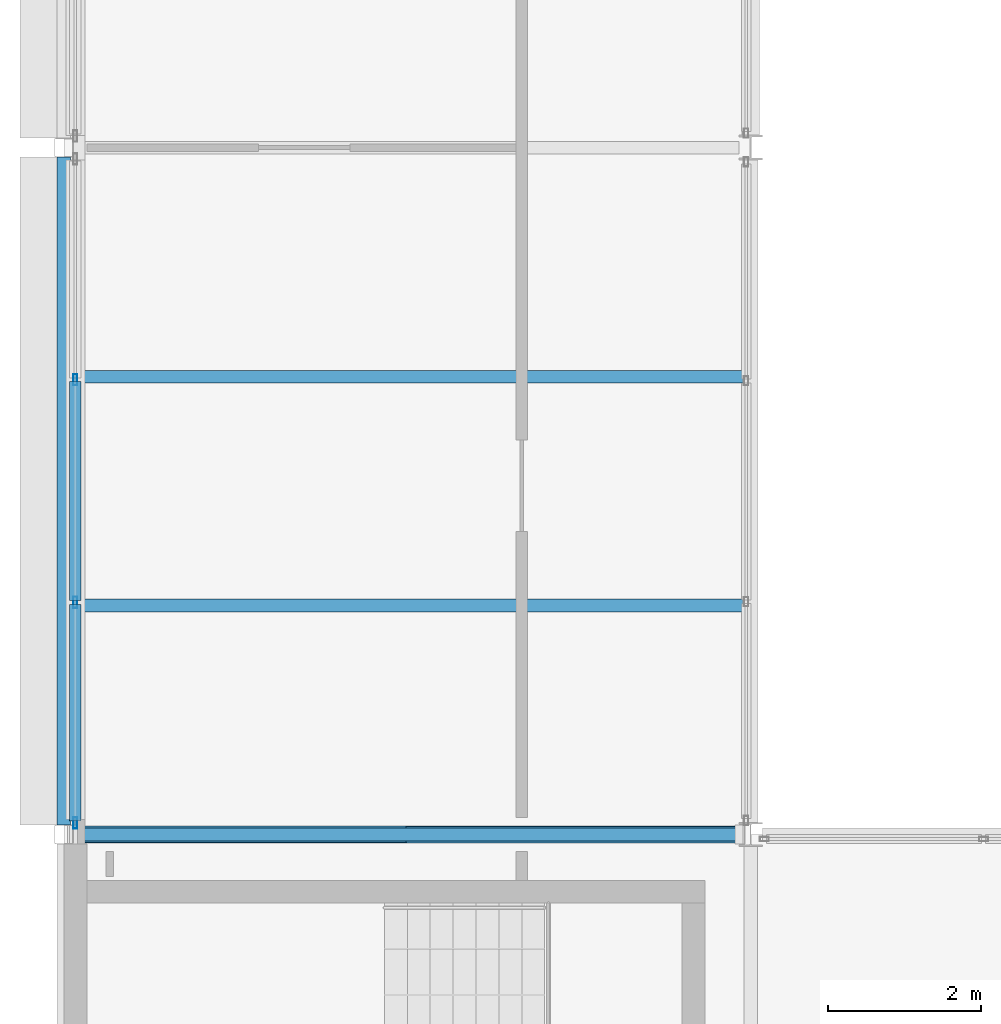
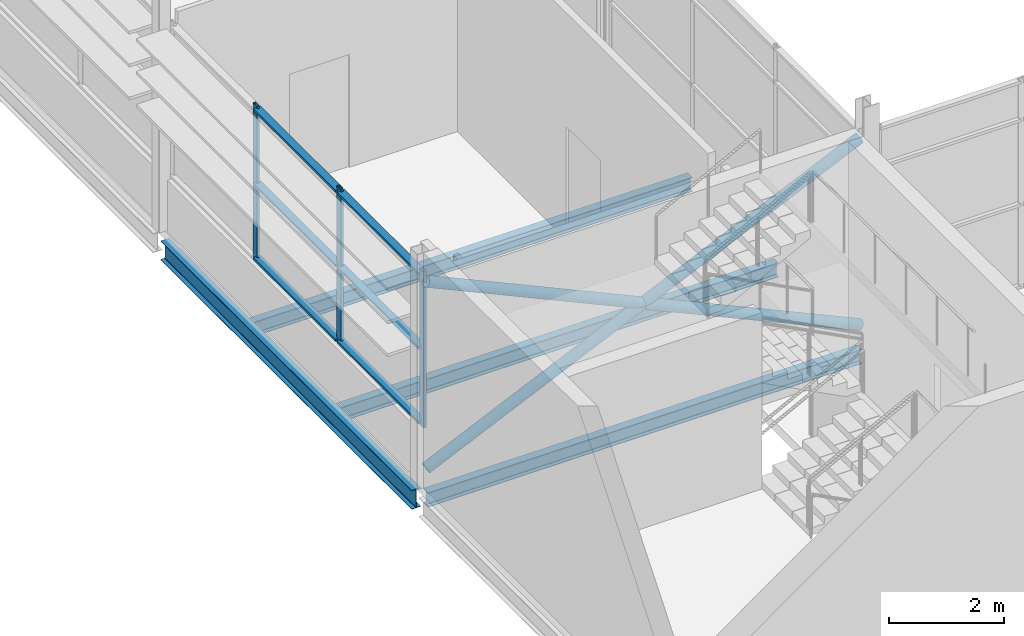
# One storey, part 11 of 94: 11 members, 4 beams, 1 element without a shape of its own.
"""IFC4 building model written with IfcOpenShell, lengths in metres."""

import ifcopenshell
import ifcopenshell.guid

model = None  # the IFC model being written
_history = None  # IfcOwnerHistory: only IFC2X3 demands one
_inside = {}  # id of a spatial element -> (the spatial element, [elements in it])
_under = {}  # id of a project, library or spatial element -> (it, [spatial elements below it])
_declared = {}  # id of a project -> (the project, [libraries it declares])
_typed = {}  # id of a type object -> (the type object, [elements of that type])
_made_of = {}  # id of a material, layer set ... -> (it, [elements and type objects made of it])


def new_model(schema):
    """Start an empty IFC model of exactly this schema.

    Asked for "IFC4X3", IfcOpenShell would pick the latest addendum, in which some entities
    have other attributes; the version numbers below select the first issue.
    IFC2X3 requires an IfcOwnerHistory on every rooted entity: one is made here for all.
    """
    global model, _history
    if schema == "IFC4X3":
        model = ifcopenshell.file(schema_version=(4, 3, 0, 0))
    else:
        model = ifcopenshell.file(schema=schema)
    _inside.clear()
    _under.clear()
    _declared.clear()
    _typed.clear()
    _made_of.clear()
    _history = None
    if model.schema == "IFC2X3":
        org = make("IfcOrganization", Name="unknown")
        user = make(
            "IfcPersonAndOrganization",
            ThePerson=make("IfcPerson", FamilyName="unknown"),
            TheOrganization=org,
        )
        app = make(
            "IfcApplication",
            ApplicationDeveloper=org,
            Version="unknown",
            ApplicationFullName="unknown",
            ApplicationIdentifier="unknown",
        )
        _history = make(
            "IfcOwnerHistory",
            OwningUser=user,
            OwningApplication=app,
            ChangeAction="ADDED",
            CreationDate=0,
        )
    return model


def make(cls, **values):
    """One entity of the class cls with the attributes given. An attribute that is None is left unset."""
    return model.create_entity(
        cls, **{name: value for name, value in values.items() if value is not None}
    )


def rooted(cls, **values):
    """An entity with a GlobalId (a new one), such as an element, a storey or a relation."""
    return make(cls, GlobalId=ifcopenshell.guid.new(), OwnerHistory=_history, **values)


def si_unit(unit_type, name, prefix=None):
    """IfcSIUnit, for example si_unit("LENGTHUNIT", "METRE", prefix="MILLI")."""
    return make("IfcSIUnit", UnitType=unit_type, Prefix=prefix, Name=name)


def assignment(units):
    """IfcUnitAssignment: the units of a project."""
    return None if units is None else make("IfcUnitAssignment", Units=units)


def point(xyz):
    """IfcCartesianPoint."""
    return None if xyz is None else make("IfcCartesianPoint", Coordinates=xyz)


def direction(xyz):
    """IfcDirection."""
    return None if xyz is None else make("IfcDirection", DirectionRatios=xyz)


def frame(location, z_axis=None, x_axis=None):
    """IfcAxis2Placement3D, a coordinate frame: its origin and axes. An axis left out is left unset."""
    return make(
        "IfcAxis2Placement3D",
        Location=point(location),
        Axis=direction(z_axis),
        RefDirection=direction(x_axis),
    )


def frame_2d(location, x_axis=None):
    """IfcAxis2Placement2D, a coordinate frame in the plane: its origin and x axis."""
    return make(
        "IfcAxis2Placement2D", Location=point(location), RefDirection=direction(x_axis)
    )


def origin():
    """The frame at (0, 0, 0) with its axes left unset."""
    return frame((0.0, 0.0, 0.0))


def origin_2d():
    """The frame at (0, 0) in the plane with its x axis left unset."""
    return frame_2d((0.0, 0.0))


def place(relative_to, where):
    """IfcLocalPlacement: puts the frame where relative to a parent placement (None: the world)."""
    return make(
        "IfcLocalPlacement", PlacementRelTo=relative_to, RelativePlacement=where
    )


def context(
    kind, dimensions, precision=None, world=None, true_north=None, identifier=None
):
    """IfcGeometricRepresentationContext, for example the 3D "Model" context."""
    return make(
        "IfcGeometricRepresentationContext",
        ContextIdentifier=identifier,
        ContextType=kind,
        CoordinateSpaceDimension=dimensions,
        Precision=precision,
        WorldCoordinateSystem=world,
        TrueNorth=true_north,
    )


def subcontext(parent, identifier, kind, view, scale=None):
    """IfcGeometricRepresentationSubContext, for example "Body" below "Model"."""
    return make(
        "IfcGeometricRepresentationSubContext",
        ContextIdentifier=identifier,
        ContextType=kind,
        ParentContext=parent,
        TargetScale=scale,
        TargetView=view,
    )


def project(units=None, contexts=None):
    """IfcProject with its units and contexts."""
    return rooted(
        "IfcProject",
        Name="project",
        RepresentationContexts=contexts,
        UnitsInContext=assignment(units),
    )


def spatial(cls, under=None, at=None, **own):
    """A site, building, storey or space (cls), placed at a placement, below another one or the project."""
    s = rooted(cls, ObjectPlacement=at, **own)
    if under is not None:
        _under.setdefault(under.id(), (under, []))[1].append(s)
    return s


def profile(cls, at=None, kind="AREA", **sizes):
    """A parametric profile (cls). Its sizes go by their IFC names, for example OverallWidth=200.0."""
    return make(cls, ProfileType=kind, Position=at, **sizes)


def hollow_rectangle(**sizes):
    """IfcRectangleHollowProfileDef."""
    return profile("IfcRectangleHollowProfileDef", **sizes)


def hollow_circle(**sizes):
    """IfcCircleHollowProfileDef."""
    return profile("IfcCircleHollowProfileDef", **sizes)


def i_section(**sizes):
    """IfcIShapeProfileDef."""
    return profile("IfcIShapeProfileDef", **sizes)


def extrude(swept, where, along, depth):
    """IfcExtrudedAreaSolid: the profile swept, set in the frame where, extruded along a direction by depth."""
    return make(
        "IfcExtrudedAreaSolid",
        SweptArea=swept,
        Position=where,
        ExtrudedDirection=direction(along),
        Depth=depth,
    )


def shape(context_of_items, identifier, shape_type, items):
    """IfcShapeRepresentation: the items that make up one representation, for example the "Body"."""
    return make(
        "IfcShapeRepresentation",
        ContextOfItems=context_of_items,
        RepresentationIdentifier=identifier,
        RepresentationType=shape_type,
        Items=items,
    )


def material(Name=None, Category=None):
    """IfcMaterial."""
    return make("IfcMaterial", Name=Name, Category=Category)


def layer(
    of_material, thickness, ventilated=None, Name=None, Category=None, Priority=None
):
    """IfcMaterialLayer: one layer of a wall or slab, of a material (None: an air gap)."""
    return make(
        "IfcMaterialLayer",
        Material=of_material,
        LayerThickness=thickness,
        IsVentilated=ventilated,
        Name=Name,
        Category=Category,
        Priority=Priority,
    )


def layer_set(layers, Name=None):
    """IfcMaterialLayerSet."""
    return make("IfcMaterialLayerSet", MaterialLayers=layers, LayerSetName=Name)


def material_profile(
    of_material, cross_section, Name=None, Category=None, Priority=None
):
    """IfcMaterialProfile: a cross section and its material."""
    return make(
        "IfcMaterialProfile",
        Name=Name,
        Material=of_material,
        Profile=cross_section,
        Priority=Priority,
        Category=Category,
    )


def profile_set(profiles, Name=None, composite=None):
    """IfcMaterialProfileSet."""
    return make(
        "IfcMaterialProfileSet",
        Name=Name,
        MaterialProfiles=profiles,
        CompositeProfile=composite,
    )


def made_of(thing, what):
    """Note that an element or type object is made of a material, layer set ...; save() writes the relation."""
    if what is not None:
        _made_of.setdefault(what.id(), (what, []))[1].append(thing)
    return thing


def type_object(cls, material=None, **own):
    """A type object (cls), such as IfcWallType, which elements share."""
    return made_of(rooted(cls, **own), material)


def element(
    cls,
    number,
    at=None,
    inside=None,
    cuts=None,
    type_object=None,
    material=None,
    context=None,
    identifier="Body",
    shape_type=None,
    held_by="IfcProductDefinitionShape",
    body=None,
    shapes=None,
    **own,
):
    """One element of the class cls, such as IfcWall. Its Tag is "e" and its number.

    at: its placement. inside: the storey or other place that contains it. cuts: it is an
    opening in that element (IfcRelVoidsElement). A single representation is given by context,
    identifier, shape_type and body (its items); several are given by shapes. held_by: the class
    of the entity that holds the representations. save() writes the other relations.
    """
    e = rooted(cls, Tag="e%d" % number, ObjectPlacement=at, **own)
    if body is not None:
        shapes = [shape(context, identifier, shape_type, body)]
    if shapes is not None:
        e.Representation = make(held_by, Representations=shapes)
    if inside is not None:
        _inside.setdefault(inside.id(), (inside, []))[1].append(e)
    if cuts is not None:
        rooted(
            "IfcRelVoidsElement", RelatingBuildingElement=cuts, RelatedOpeningElement=e
        )
    if type_object is not None:
        _typed.setdefault(type_object.id(), (type_object, []))[1].append(e)
    return made_of(e, material)


def aggregate(whole, parts):
    """IfcRelAggregates: a whole, such as a stair, and the parts it consists of."""
    return rooted("IfcRelAggregates", RelatingObject=whole, RelatedObjects=parts)


def save(model, path):
    """Write the relations noted so far, then the file.

    IfcRelAggregates (storeys below a building ...), IfcRelContainedInSpatialStructure (elements
    in a storey), IfcRelDefinesByType, IfcRelAssociatesMaterial and IfcRelDeclares: one each for
    every whole, place, type object, material and project.
    """
    for whole, parts in _under.values():
        aggregate(whole, parts)
    for where, things in _inside.values():
        rooted(
            "IfcRelContainedInSpatialStructure",
            RelatedElements=things,
            RelatingStructure=where,
        )
    for kind, things in _typed.values():
        rooted("IfcRelDefinesByType", RelatedObjects=things, RelatingType=kind)
    for what, things in _made_of.values():
        rooted("IfcRelAssociatesMaterial", RelatedObjects=things, RelatingMaterial=what)
    for by, libraries in _declared.values():
        rooted("IfcRelDeclares", RelatingContext=by, RelatedDefinitions=libraries)
    model.write(path)


model = new_model("IFC4")

# Units and contexts
model_context = context("Model", 3, precision=1e-05, world=origin(), true_north=direction((0.0, 1.0)))
body_context = subcontext(model_context, "Body", "Model", "MODEL_VIEW")
ifc_project = project(units=[si_unit("LENGTHUNIT", "METRE"), si_unit("AREAUNIT", "SQUARE_METRE"), si_unit("VOLUMEUNIT", "CUBIC_METRE"), si_unit("PLANEANGLEUNIT", "RADIAN"), si_unit("MASSUNIT", "GRAM", prefix="KILO")], contexts=[model_context])

# Site, building, storey
site_placement = place(None, origin())
site = spatial("IfcSite", under=ifc_project, at=site_placement, CompositionType="ELEMENT")
building_placement = place(site_placement, origin())
building = spatial("IfcBuilding", under=site, at=building_placement, Name="Shorebreak Coast Museum", CompositionType="ELEMENT")
storey_placement = place(building_placement, frame((0.0, 0.0, 31.0)))
storey = spatial("IfcBuildingStorey", under=building, at=storey_placement, Name="L05", CompositionType="ELEMENT", Elevation=31.0)

# Beams
ifc_material_1 = material(Name="Steel Grade 300", Category="steel")
ifc_material_profile_1 = material_profile(ifc_material_1, i_section(OverallWidth=0.166015625, OverallDepth=0.30712890625, WebThickness=0.006591796875, FlangeThickness=0.01171875, FilletRadius=0.011474609375, at=origin_2d()), Name="310UB46.2")
ifc_profile_set_1 = profile_set([ifc_material_profile_1], Name="Steel Grade 300")
beam_type_1 = type_object("IfcBeamType", Name="Floor girder east-west 310UB46.2", PredefinedType="BEAM", material=ifc_profile_set_1)
beam_1_placement = place(storey_placement, frame((54.125, 63.0, -0.32861328125), z_axis=(1.0, 0.0, 0.0), x_axis=(0.0, 1.0, 0.0)))
element("IfcBeam", 1, at=beam_1_placement, inside=storey, type_object=beam_type_1, Name="Floor girder east-west L05 7H", PredefinedType="BEAM", context=body_context, shape_type="SweptSolid", body=[
    extrude(i_section(OverallWidth=0.166015625, OverallDepth=0.30712890625, WebThickness=0.006591796875, FlangeThickness=0.01171875, FilletRadius=0.011474609375, at=origin_2d()), origin(), (0.0, 0.0, 1.0), 8.721435546875),
])
ifc_material_2 = material(Name="Steel Grade 300", Category="steel")
ifc_material_profile_2 = material_profile(ifc_material_2, i_section(OverallWidth=0.177978515625, OverallDepth=0.406494140625, WebThickness=0.0078125, FlangeThickness=0.0126953125, FilletRadius=0.011474609375, at=origin_2d()), Name="410UB59.7")
ifc_profile_set_2 = profile_set([ifc_material_profile_2], Name="Steel Grade 300")
beam_type_2 = type_object("IfcBeamType", Name="Floor girder north-south 410UB59.7", PredefinedType="BEAM", material=ifc_profile_set_2)
beam_2_placement = place(storey_placement, frame((54.0, 63.125, -0.378173828125), z_axis=(0.0, 1.0, 0.0), x_axis=(-1.0, 0.0, 0.0)))
element("IfcBeam", 2, at=beam_2_placement, inside=storey, type_object=beam_type_2, Name="Floor girder north-south L05 7H", PredefinedType="BEAM", context=body_context, shape_type="SweptSolid", body=[
    extrude(i_section(OverallWidth=0.177978515625, OverallDepth=0.406494140625, WebThickness=0.0078125, FlangeThickness=0.0126953125, FilletRadius=0.011474609375, at=origin_2d()), origin(), (0.0, 0.0, 1.0), 8.75),
])
ifc_material_3 = material(Name="Steel Grade 300", Category="steel")
ifc_material_profile_3 = material_profile(ifc_material_3, i_section(OverallWidth=0.1650390625, OverallDepth=0.303955078125, WebThickness=0.006103515625, FlangeThickness=0.01025390625, FilletRadius=0.011474609375, at=origin_2d()), Name="310UB40.4")
ifc_profile_set_3 = profile_set([ifc_material_profile_3], Name="Steel Grade 300")
beam_type_3 = type_object("IfcBeamType", Name="Floor joist 310UB40.4", PredefinedType="JOIST", material=ifc_profile_set_3)
for number, where, z_axis, x_axis, name in (
    (3, (54.089111328125, 66.0, -0.326904296875), (1.0, 0.0, 0.0), (0.0, 1.0, 0.0), "Floor joist L05 bay 7H at 3000 mm"),
    (4, (54.089111328125, 69.0, -0.326904296875), (1.0, 0.0, 0.0), (0.0, 1.0, 0.0), "Floor joist L05 bay 7H at 6000 mm"),
):
    element("IfcBeam", number, at=place(storey_placement, frame(where, z_axis=z_axis, x_axis=x_axis)), inside=storey, type_object=beam_type_3, Name=name, PredefinedType="JOIST", context=body_context, shape_type="SweptSolid", body=[
        extrude(i_section(OverallWidth=0.1650390625, OverallDepth=0.303955078125, WebThickness=0.006103515625, FlangeThickness=0.01025390625, FilletRadius=0.011474609375, at=origin_2d()), origin(), (0.0, 0.0, 1.0), 8.8154296875),
    ])

# Curtain wall, members
ifc_material_4 = material(Name="Aluminium", Category="aluminium")
ifc_layer = layer(ifc_material_4, 0.14990234375)
ifc_layer_set = layer_set([ifc_layer], Name="Aluminium")
curtain_wall_type = type_object("IfcCurtainWallType", Name="Storefront curtain wall", PredefinedType="NOTDEFINED", material=ifc_layer_set)
curtain_wall_placement = place(storey_placement, origin())
curtain_wall = element("IfcCurtainWall", 5, at=curtain_wall_placement, inside=storey, type_object=curtain_wall_type, Name="Atrium Hall glazing L05 W 18", PredefinedType="NOTDEFINED")
ifc_material_5 = material(Name="Aluminium", Category="aluminium")
ifc_material_profile_4 = material_profile(ifc_material_5, hollow_rectangle(XDim=0.050048828125, YDim=0.14990234375, WallThickness=0.00390625, at=origin_2d()), Name="AL 150x50 RHS")
ifc_profile_set_4 = profile_set([ifc_material_profile_4], Name="Aluminium")
member_type_1 = type_object("IfcMemberType", Name="Storefront mullion 50 x 150", PredefinedType="MULLION", material=ifc_profile_set_4)
member_1_placement = place(storey_placement, frame((54.14990234375, 63.14990234375, 1.10009765625), z_axis=(0.0, 0.0, 1.0), x_axis=(-1.0, 0.0, 0.0)))
member_1 = element("IfcMember", 6, at=member_1_placement, type_object=member_type_1, Name="CW5 mullion 1", PredefinedType="MULLION", context=body_context, shape_type="SweptSolid", body=[
    extrude(hollow_rectangle(XDim=0.050048828125, YDim=0.14990234375, WallThickness=0.00390625, at=origin_2d()), origin(), (0.0, 0.0, 1.0), 3.318603515625),
])
member_2_placement = place(storey_placement, frame((54.14990234375, 66.041748046875, 1.10009765625), z_axis=(0.0, 0.0, 1.0), x_axis=(-1.0, 0.0, 0.0)))
member_2 = element("IfcMember", 7, at=member_2_placement, type_object=member_type_1, Name="CW5 mullion 2", PredefinedType="MULLION", context=body_context, shape_type="SweptSolid", body=[
    extrude(hollow_rectangle(XDim=0.050048828125, YDim=0.14990234375, WallThickness=0.00390625, at=origin_2d()), origin(), (0.0, 0.0, 1.0), 3.318603515625),
])
member_3_placement = place(storey_placement, frame((54.14990234375, 68.958251953125, 1.10009765625), z_axis=(0.0, 0.0, 1.0), x_axis=(-1.0, 0.0, 0.0)))
member_3 = element("IfcMember", 8, at=member_3_placement, type_object=member_type_1, Name="CW5 mullion 3", PredefinedType="MULLION", context=body_context, shape_type="SweptSolid", body=[
    extrude(hollow_rectangle(XDim=0.050048828125, YDim=0.14990234375, WallThickness=0.00390625, at=origin_2d()), origin(), (0.0, 0.0, 1.0), 3.318603515625),
])
ifc_material_6 = material(Name="Aluminium", Category="aluminium")
ifc_material_profile_5 = material_profile(ifc_material_6, hollow_rectangle(XDim=0.14990234375, YDim=0.050048828125, WallThickness=0.00390625, at=origin_2d()), Name="AL 50x150 RHS")
ifc_profile_set_5 = profile_set([ifc_material_profile_5], Name="Aluminium")
member_type_2 = type_object("IfcMemberType", Name="Storefront transom 150 x 50", PredefinedType="USERDEFINED", material=ifc_profile_set_5)
member_4_placement = place(storey_placement, frame((54.14990234375, 63.175048828125, 1.175048828125), z_axis=(0.0, 1.0, 0.0), x_axis=(-1.0, 0.0, 0.0)))
member_4 = element("IfcMember", 9, at=member_4_placement, type_object=member_type_2, Name="CW5 transom 1.1", ObjectType="TRANSOM", PredefinedType="USERDEFINED", context=body_context, shape_type="SweptSolid", body=[
    extrude(hollow_rectangle(XDim=0.14990234375, YDim=0.050048828125, WallThickness=0.00390625, at=origin_2d()), origin(), (0.0, 0.0, 1.0), 2.841552734375),
])
member_5_placement = place(storey_placement, frame((54.14990234375, 63.175048828125, 2.75927734375), z_axis=(0.0, 1.0, 0.0), x_axis=(-1.0, 0.0, 0.0)))
member_5 = element("IfcMember", 10, at=member_5_placement, type_object=member_type_2, Name="CW5 transom 1.2", ObjectType="TRANSOM", PredefinedType="USERDEFINED", context=body_context, shape_type="SweptSolid", body=[
    extrude(hollow_rectangle(XDim=0.14990234375, YDim=0.050048828125, WallThickness=0.00390625, at=origin_2d()), origin(), (0.0, 0.0, 1.0), 2.841552734375),
])
member_6_placement = place(storey_placement, frame((54.14990234375, 63.175048828125, 4.343505859375), z_axis=(0.0, 1.0, 0.0), x_axis=(-1.0, 0.0, 0.0)))
member_6 = element("IfcMember", 11, at=member_6_placement, type_object=member_type_2, Name="CW5 transom 1.3", ObjectType="TRANSOM", PredefinedType="USERDEFINED", context=body_context, shape_type="SweptSolid", body=[
    extrude(hollow_rectangle(XDim=0.14990234375, YDim=0.050048828125, WallThickness=0.00390625, at=origin_2d()), origin(), (0.0, 0.0, 1.0), 2.841552734375),
])
member_7_placement = place(storey_placement, frame((54.14990234375, 66.066650390625, 1.175048828125), z_axis=(0.0, 1.0, 0.0), x_axis=(-1.0, 0.0, 0.0)))
member_7 = element("IfcMember", 12, at=member_7_placement, type_object=member_type_2, Name="CW5 transom 2.1", ObjectType="TRANSOM", PredefinedType="USERDEFINED", context=body_context, shape_type="SweptSolid", body=[
    extrude(hollow_rectangle(XDim=0.14990234375, YDim=0.050048828125, WallThickness=0.00390625, at=origin_2d()), origin(), (0.0, 0.0, 1.0), 2.86669921875),
])
member_8_placement = place(storey_placement, frame((54.14990234375, 66.066650390625, 2.75927734375), z_axis=(0.0, 1.0, 0.0), x_axis=(-1.0, 0.0, 0.0)))
member_8 = element("IfcMember", 13, at=member_8_placement, type_object=member_type_2, Name="CW5 transom 2.2", ObjectType="TRANSOM", PredefinedType="USERDEFINED", context=body_context, shape_type="SweptSolid", body=[
    extrude(hollow_rectangle(XDim=0.14990234375, YDim=0.050048828125, WallThickness=0.00390625, at=origin_2d()), origin(), (0.0, 0.0, 1.0), 2.86669921875),
])
member_9_placement = place(storey_placement, frame((54.14990234375, 66.066650390625, 4.343505859375), z_axis=(0.0, 1.0, 0.0), x_axis=(-1.0, 0.0, 0.0)))
member_9 = element("IfcMember", 14, at=member_9_placement, type_object=member_type_2, Name="CW5 transom 2.3", ObjectType="TRANSOM", PredefinedType="USERDEFINED", context=body_context, shape_type="SweptSolid", body=[
    extrude(hollow_rectangle(XDim=0.14990234375, YDim=0.050048828125, WallThickness=0.00390625, at=origin_2d()), origin(), (0.0, 0.0, 1.0), 2.86669921875),
])
aggregate(curtain_wall, [member_1, member_2, member_3, member_4, member_5, member_6, member_7, member_8, member_9])

# Members
ifc_material_7 = material(Name="Steel Grade C350L0", Category="steel")
ifc_material_profile_6 = material_profile(ifc_material_7, hollow_circle(Radius=0.109619140625, WallThickness=0.00830078125, at=origin_2d()), Name="219.1x8.2 CHS")
ifc_profile_set_6 = profile_set([ifc_material_profile_6], Name="Steel Grade C350L0")
member_type_3 = type_object("IfcMemberType", Name="X-brace 219.1x8.2 CHS", PredefinedType="BRACE", material=ifc_profile_set_6)
for number, where, z_axis, x_axis, name in (
    (15, (54.125, 63.0, 0.300048828125), (0.909950784, 0.0, 0.414716253235), (0.0, 1.0, 0.0), "X-brace bay 01 L05 diagonal 1"),
    (16, (62.846435546875, 63.0, 0.300048828125), (-0.909950784, 0.0, 0.414716253235), (0.0, -1.0, 0.0), "X-brace bay 01 L05 diagonal 2"),
):
    element("IfcMember", number, at=place(storey_placement, frame(where, z_axis=z_axis, x_axis=x_axis)), inside=storey, type_object=member_type_3, Name=name, PredefinedType="BRACE", context=body_context, shape_type="SweptSolid", body=[
        extrude(hollow_circle(Radius=0.109619140625, WallThickness=0.00830078125, at=origin_2d()), origin(), (0.0, 0.0, 1.0), 9.58447265625),
    ])

save(model, "model.ifc")
